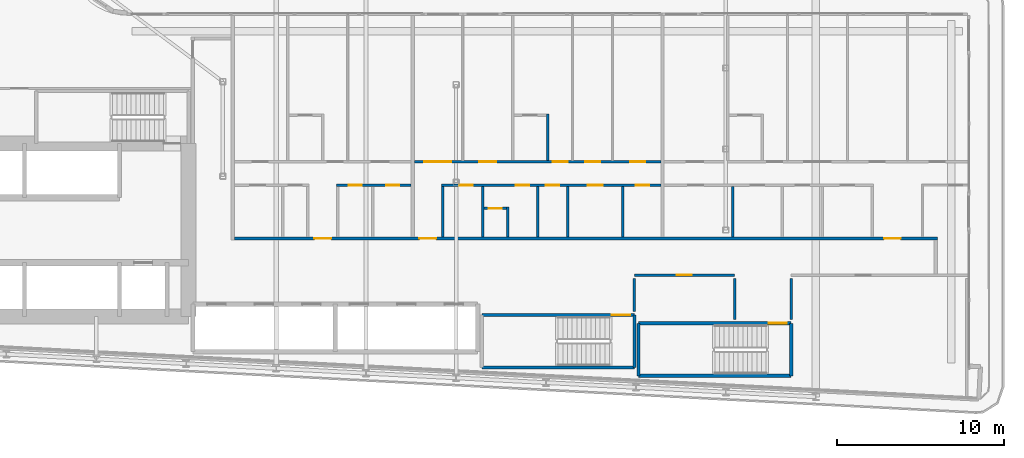
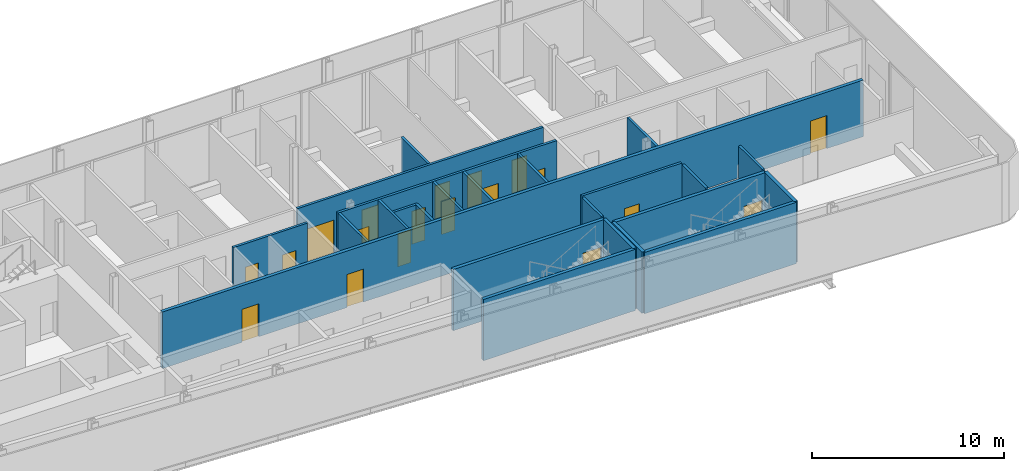
# One storey, part 16 of 29: 24 walls, 19 doors, 19 openings.
"""IFC4 building model written with IfcOpenShell, lengths in metres."""

from ifc_helpers import new_model, si_unit, direction, frame, frame_2d, origin, place, context, subcontext, project, spatial, rectangle, extrude, source, transform, mapped, material, layer, layer_set, type_object, element, fill, save


model = new_model("IFC4")

# Units and contexts
model_context = context("Model", 3, precision=1e-05, world=origin(), true_north=direction((0.0, 1.0)))
body_context = subcontext(model_context, "Body", "Model", "MODEL_VIEW")
ifc_project = project(units=[si_unit("LENGTHUNIT", "METRE"), si_unit("AREAUNIT", "SQUARE_METRE"), si_unit("VOLUMEUNIT", "CUBIC_METRE"), si_unit("PLANEANGLEUNIT", "RADIAN"), si_unit("MASSUNIT", "GRAM", prefix="KILO")], contexts=[model_context])

# Site, building, storey
site_placement = place(None, origin())
site = spatial("IfcSite", under=ifc_project, at=site_placement, CompositionType="ELEMENT")
building_placement = place(site_placement, origin())
building = spatial("IfcBuilding", under=site, at=building_placement, Name="Kheshtan School and Residences Tower", CompositionType="ELEMENT")
storey_placement = place(building_placement, frame((0.0, 0.0, 117.5)))
storey = spatial("IfcBuildingStorey", under=building, at=storey_placement, Name="L27", CompositionType="ELEMENT", Elevation=117.5)

# Wall, openings, doors
ifc_material_1 = material(Name="Gypsum board on steel studs with fire boards", Category="steel")
ifc_layer_1 = layer(ifc_material_1, 0.199951171875)
ifc_layer_set_1 = layer_set([ifc_layer_1], Name="Corridor wall 200")
wall_type_1 = type_object("IfcWallType", Name="Corridor wall 200", PredefinedType="PARTITIONING", material=ifc_layer_set_1)
wall_1_placement = place(storey_placement, frame((55.89990234375, 30.5, 0.0), z_axis=(0.0, 0.0, 1.0), x_axis=(1.0, 0.0, 0.0)))
wall_1 = element("IfcWall", 1, at=wall_1_placement, inside=storey, type_object=wall_type_1, Name="Partition L27-051", PredefinedType="PARTITIONING", context=body_context, shape_type="SweptSolid", body=[
    extrude(rectangle(XDim=42.2001953125, YDim=0.199951171875, at=frame_2d((21.10009765625, 0.0))), origin(), (0.0, 0.0, 1.0), 3.60009765625),
])
opening_1_placement = place(wall_1_placement, frame((4.800048828125, 0.0, 0.0)))
opening_1 = element("IfcOpeningElement", 2, at=opening_1_placement, cuts=wall_1, Name="Opening D27-005", PredefinedType="OPENING", context=body_context, shape_type="SweptSolid", body=[
    extrude(rectangle(XDim=1.0, YDim=2.10009765625, at=frame_2d((0.5, 1.050048828125))), frame((0.0, 0.10986328125, 0.0), z_axis=(0.0, -1.0, 0.0), x_axis=(1.0, 0.0, 0.0)), (0.0, 0.0, 1.0), 0.219970703125),
])
opening_2_placement = place(wall_1_placement, frame((11.10009765625, 0.0, 0.0)))
opening_2 = element("IfcOpeningElement", 3, at=opening_2_placement, cuts=wall_1, Name="Opening D27-015", PredefinedType="OPENING", context=body_context, shape_type="SweptSolid", body=[
    extrude(rectangle(XDim=1.0, YDim=2.10009765625, at=frame_2d((0.5, 1.050048828125))), frame((0.0, 0.10986328125, 0.0), z_axis=(0.0, -1.0, 0.0), x_axis=(1.0, 0.0, 0.0)), (0.0, 0.0, 1.0), 0.219970703125),
])
opening_3_placement = place(wall_1_placement, frame((39.0, 0.0, 0.0)))
opening_3 = element("IfcOpeningElement", 4, at=opening_3_placement, cuts=wall_1, Name="Opening D27-029", PredefinedType="OPENING", context=body_context, shape_type="SweptSolid", body=[
    extrude(rectangle(XDim=1.0, YDim=2.10009765625, at=frame_2d((0.5, 1.050048828125))), frame((0.0, 0.10986328125, 0.0), z_axis=(0.0, -1.0, 0.0), x_axis=(1.0, 0.0, 0.0)), (0.0, 0.0, 1.0), 0.219970703125),
])
ifc_material_2 = material(Name="Steel-framed fire-resisting door leaf", Category="steel")
door_type_1 = type_object("IfcDoorType", Name="Fire door FD30S 1000 x 2100", OperationType="SINGLE_SWING_LEFT", PredefinedType="DOOR", material=ifc_material_2)
shared_shape_1 = source(origin(), body_context, "Body", "SweptSolid", [
    extrude(rectangle(XDim=1.0, YDim=2.10009765625, at=frame_2d((0.5, 1.050048828125))), frame((0.0, 0.02490234375, 0.0), z_axis=(0.0, -1.0, 0.0), x_axis=(1.0, 0.0, 0.0)), (0.0, 0.0, 1.0), 0.050048828125),
])
door_1_placement = place(opening_1_placement, origin())
door_1 = element("IfcDoor", 5, at=door_1_placement, inside=storey, type_object=door_type_1, Name="Door D27-005", OperationType="SINGLE_SWING_RIGHT", OverallHeight=2.10009765625, OverallWidth=1.0, PredefinedType="DOOR", context=body_context, shape_type="MappedRepresentation", body=[
    mapped(shared_shape_1, transform((0.0, 0.0, 0.0), x_axis=(1.0, 0.0, 0.0), y_axis=(0.0, 1.0, 0.0), z_axis=(0.0, 0.0, 1.0), scale=1.0)),
])
fill(opening_1, door_1)
door_2_placement = place(opening_2_placement, origin())
door_2 = element("IfcDoor", 6, at=door_2_placement, inside=storey, type_object=door_type_1, Name="Door D27-015", OperationType="SINGLE_SWING_LEFT", OverallHeight=2.10009765625, OverallWidth=1.0, PredefinedType="DOOR", context=body_context, shape_type="MappedRepresentation", body=[
    mapped(shared_shape_1, transform((0.0, 0.0, 0.0), x_axis=(1.0, 0.0, 0.0), y_axis=(0.0, 1.0, 0.0), z_axis=(0.0, 0.0, 1.0), scale=1.0)),
])
fill(opening_2, door_2)
door_3_placement = place(opening_3_placement, origin())
door_3 = element("IfcDoor", 7, at=door_3_placement, inside=storey, type_object=door_type_1, Name="Door D27-029", OperationType="SINGLE_SWING_LEFT", OverallHeight=2.10009765625, OverallWidth=1.0, PredefinedType="DOOR", context=body_context, shape_type="MappedRepresentation", body=[
    mapped(shared_shape_1, transform((0.0, 0.0, 0.0), x_axis=(1.0, 0.0, 0.0), y_axis=(0.0, 1.0, 0.0), z_axis=(0.0, 0.0, 1.0), scale=1.0)),
])
fill(opening_3, door_3)

# Wall, opening, door
ifc_material_3 = material(Name="Fire-board shaft wall system")
ifc_layer_2 = layer(ifc_material_3, 0.14990234375)
ifc_layer_set_2 = layer_set([ifc_layer_2], Name="Service room wall 150")
wall_type_2 = type_object("IfcWallType", Name="Service room wall 150", PredefinedType="PARTITIONING", material=ifc_layer_set_2)
wall_2_placement = place(storey_placement, frame((79.909912109375, 28.300048828125, 0.0), z_axis=(0.0, 0.0, 1.0), x_axis=(1.0, 0.0, 0.0)))
wall_2 = element("IfcWall", 8, at=wall_2_placement, inside=storey, type_object=wall_type_2, Name="Service room wall", PredefinedType="PARTITIONING", context=body_context, shape_type="SweptSolid", body=[
    extrude(rectangle(XDim=6.010009765625, YDim=0.14990234375, at=frame_2d((3.0048828125, 0.0))), origin(), (0.0, 0.0, 1.0), 3.89990234375),
])
opening_4_placement = place(wall_2_placement, frame((2.554931640625, 0.0, 0.0)))
opening_4 = element("IfcOpeningElement", 9, at=opening_4_placement, cuts=wall_2, Name="Opening SR90", PredefinedType="OPENING", context=body_context, shape_type="SweptSolid", body=[
    extrude(rectangle(XDim=0.89990234375, YDim=2.199951171875, at=frame_2d((0.449951171875, 1.10009765625))), frame((0.0, 0.0849609375, 0.0), z_axis=(0.0, -1.0, 0.0), x_axis=(1.0, 0.0, 0.0)), (0.0, 0.0, 1.0), 0.169921875),
])
ifc_material_4 = material(Name="Steel door leaf, galvanised", Category="steel")
door_type_2 = type_object("IfcDoorType", Name="Service room door 900 steel 90 min", OperationType="SINGLE_SWING_LEFT", PredefinedType="DOOR", material=ifc_material_4)
shared_shape_2 = source(origin(), body_context, "Body", "SweptSolid", [
    extrude(rectangle(XDim=0.89990234375, YDim=2.199951171875, at=frame_2d((0.449951171875, 1.10009765625))), frame((0.0, 0.02490234375, 0.0), z_axis=(0.0, -1.0, 0.0), x_axis=(1.0, 0.0, 0.0)), (0.0, 0.0, 1.0), 0.050048828125),
])
door_4_placement = place(opening_4_placement, origin())
door_4 = element("IfcDoor", 10, at=door_4_placement, inside=storey, type_object=door_type_2, Name="Service room door", OperationType="SINGLE_SWING_LEFT", OverallHeight=2.199951171875, OverallWidth=0.89990234375, PredefinedType="DOOR", context=body_context, shape_type="MappedRepresentation", body=[
    mapped(shared_shape_2, transform((0.0, 0.0, 0.0), x_axis=(1.0, 0.0, 0.0), y_axis=(0.0, 1.0, 0.0), z_axis=(0.0, 0.0, 1.0), scale=1.0)),
])
fill(opening_4, door_4)

# Walls
wall_3_placement = place(storey_placement, frame((79.909912109375, 26.1201171875, 0.0), z_axis=(0.0, 0.0, 1.0), x_axis=(0.0, 1.0, 0.0)))
element("IfcWall", 11, at=wall_3_placement, inside=storey, type_object=wall_type_2, Name="Service room wall", PredefinedType="PARTITIONING", context=body_context, shape_type="SweptSolid", body=[
    extrude(rectangle(XDim=1.98486328125, YDim=0.14990234375, at=frame_2d((0.992431640625, 0.0))), origin(), (0.0, 0.0, 1.0), 3.89990234375),
])
for number, where, z_axis, x_axis, name in (
    (12, (85.919921875, 25.6201171875, 0.0), (0.0, 0.0, 1.0), (0.0, 1.0, 0.0), "Service room wall"),
    (13, (89.320068359375, 25.6201171875, 0.0), (0.0, 0.0, 1.0), (0.0, 1.0, 0.0), "Service room wall"),
):
    element("IfcWall", number, at=place(storey_placement, frame(where, z_axis=z_axis, x_axis=x_axis)), inside=storey, type_object=wall_type_2, Name=name, PredefinedType="PARTITIONING", context=body_context, shape_type="SweptSolid", body=[
        extrude(rectangle(XDim=2.48486328125, YDim=0.14990234375, at=frame_2d((1.242431640625, 0.0))), origin(), (0.0, 0.0, 1.0), 3.89990234375),
    ])
ifc_material_5 = material(Name="Concrete C40/50", Category="concrete")
ifc_layer_3 = layer(ifc_material_5, 0.199951171875)
ifc_layer_set_3 = layer_set([ifc_layer_3], Name="Stair enclosure wall 200 Concrete C40/50")
wall_type_3 = type_object("IfcWallType", Name="Stair enclosure wall 200 Concrete C40/50", PredefinedType="SHEAR", material=ifc_layer_set_3)
wall_4_placement = place(storey_placement, frame((80.159912109375, 22.25, 0.0), z_axis=(0.0, 0.0, 1.0), x_axis=(1.0, 0.0, 0.0)))
element("IfcWall", 14, at=wall_4_placement, inside=storey, type_object=wall_type_3, Name="Stair enclosure wall ST4", PredefinedType="SHEAR", context=body_context, shape_type="SweptSolid", body=[
    extrude(rectangle(XDim=9.16015625, YDim=0.199951171875, at=frame_2d((4.580078125, 0.0))), origin(), (0.0, 0.0, 1.0), 3.89990234375),
])

# Wall, opening, door
wall_5_placement = place(storey_placement, frame((80.159912109375, 25.39990234375, 0.0), z_axis=(0.0, 0.0, 1.0), x_axis=(1.0, 0.0, 0.0)))
wall_5 = element("IfcWall", 15, at=wall_5_placement, inside=storey, type_object=wall_type_3, Name="Stair enclosure wall ST4", PredefinedType="SHEAR", context=body_context, shape_type="SweptSolid", body=[
    extrude(rectangle(XDim=9.16015625, YDim=0.199951171875, at=frame_2d((4.580078125, 0.0))), origin(), (0.0, 0.0, 1.0), 3.89990234375),
])
opening_5_placement = place(wall_5_placement, frame((7.81005859375, 0.0, 0.0)))
opening_5 = element("IfcOpeningElement", 16, at=opening_5_placement, cuts=wall_5, Name="Opening ST4D", PredefinedType="OPENING", context=body_context, shape_type="SweptSolid", body=[
    extrude(rectangle(XDim=1.10009765625, YDim=2.199951171875, at=frame_2d((0.550048828125, 1.10009765625))), frame((0.0, 0.10986328125, 0.0), z_axis=(0.0, -1.0, 0.0), x_axis=(1.0, 0.0, 0.0)), (0.0, 0.0, 1.0), 0.219970703125),
])
door_type_3 = type_object("IfcDoorType", Name="Stair door 1100 steel 90 min", OperationType="SINGLE_SWING_LEFT", PredefinedType="DOOR", material=ifc_material_4)
shared_shape_3 = source(origin(), body_context, "Body", "SweptSolid", [
    extrude(rectangle(XDim=1.10009765625, YDim=2.199951171875, at=frame_2d((0.550048828125, 1.10009765625))), frame((0.0, 0.02490234375, 0.0), z_axis=(0.0, -1.0, 0.0), x_axis=(1.0, 0.0, 0.0)), (0.0, 0.0, 1.0), 0.050048828125),
])
door_5_placement = place(opening_5_placement, origin())
door_5 = element("IfcDoor", 17, at=door_5_placement, inside=storey, type_object=door_type_3, Name="Stair ST4 door", OperationType="SINGLE_SWING_LEFT", OverallHeight=2.199951171875, OverallWidth=1.10009765625, PredefinedType="DOOR", context=body_context, shape_type="MappedRepresentation", body=[
    mapped(shared_shape_3, transform((0.0, 0.0, 0.0), x_axis=(1.0, 0.0, 0.0), y_axis=(0.0, 1.0, 0.0), z_axis=(0.0, 0.0, 1.0), scale=1.0)),
])
fill(opening_5, door_5)

# Walls
for number, where, z_axis, x_axis, name in (
    (18, (80.159912109375, 22.25, 0.0), (0.0, 0.0, 1.0), (0.0, 1.0, 0.0), "Stair enclosure wall ST4"),
    (19, (89.320068359375, 22.25, 0.0), (0.0, 0.0, 1.0), (0.0, 1.0, 0.0), "Stair enclosure wall ST4"),
):
    element("IfcWall", number, at=place(storey_placement, frame(where, z_axis=z_axis, x_axis=x_axis)), inside=storey, type_object=wall_type_3, Name=name, PredefinedType="SHEAR", context=body_context, shape_type="SweptSolid", body=[
        extrude(rectangle(XDim=3.14990234375, YDim=0.199951171875, at=frame_2d((1.574951171875, 0.0))), origin(), (0.0, 0.0, 1.0), 3.89990234375),
    ])
wall_6_placement = place(storey_placement, frame((70.75, 22.75, 0.0), z_axis=(0.0, 0.0, 1.0), x_axis=(1.0, 0.0, 0.0)))
element("IfcWall", 20, at=wall_6_placement, inside=storey, type_object=wall_type_3, Name="Stair enclosure wall ST5", PredefinedType="SHEAR", context=body_context, shape_type="SweptSolid", body=[
    extrude(rectangle(XDim=9.159912109375, YDim=0.199951171875, at=frame_2d((4.580078125, 0.0))), origin(), (0.0, 0.0, 1.0), 3.89990234375),
])

# Wall, opening, door
wall_7_placement = place(storey_placement, frame((70.75, 25.89990234375, 0.0), z_axis=(0.0, 0.0, 1.0), x_axis=(1.0, 0.0, 0.0)))
wall_7 = element("IfcWall", 21, at=wall_7_placement, inside=storey, type_object=wall_type_3, Name="Stair enclosure wall ST5", PredefinedType="SHEAR", context=body_context, shape_type="SweptSolid", body=[
    extrude(rectangle(XDim=9.159912109375, YDim=0.199951171875, at=frame_2d((4.580078125, 0.0))), origin(), (0.0, 0.0, 1.0), 3.89990234375),
])
opening_6_placement = place(wall_7_placement, frame((7.81005859375, 0.0, 0.0)))
opening_6 = element("IfcOpeningElement", 22, at=opening_6_placement, cuts=wall_7, Name="Opening ST5D", PredefinedType="OPENING", context=body_context, shape_type="SweptSolid", body=[
    extrude(rectangle(XDim=1.10009765625, YDim=2.199951171875, at=frame_2d((0.550048828125, 1.10009765625))), frame((0.0, 0.10986328125, 0.0), z_axis=(0.0, -1.0, 0.0), x_axis=(1.0, 0.0, 0.0)), (0.0, 0.0, 1.0), 0.219970703125),
])
door_6_placement = place(opening_6_placement, origin())
door_6 = element("IfcDoor", 23, at=door_6_placement, inside=storey, type_object=door_type_3, Name="Stair ST5 door", OperationType="SINGLE_SWING_LEFT", OverallHeight=2.199951171875, OverallWidth=1.10009765625, PredefinedType="DOOR", context=body_context, shape_type="MappedRepresentation", body=[
    mapped(shared_shape_3, transform((0.0, 0.0, 0.0), x_axis=(1.0, 0.0, 0.0), y_axis=(0.0, 1.0, 0.0), z_axis=(0.0, 0.0, 1.0), scale=1.0)),
])
fill(opening_6, door_6)

# Wall
wall_8_placement = place(storey_placement, frame((79.909912109375, 22.75, 0.0), z_axis=(0.0, 0.0, 1.0), x_axis=(0.0, 1.0, 0.0)))
element("IfcWall", 24, at=wall_8_placement, inside=storey, type_object=wall_type_3, Name="Stair enclosure wall ST5", PredefinedType="SHEAR", context=body_context, shape_type="SweptSolid", body=[
    extrude(rectangle(XDim=3.14990234375, YDim=0.199951171875, at=frame_2d((1.574951171875, 0.0))), origin(), (0.0, 0.0, 1.0), 3.89990234375),
])

# Wall, openings, doors
ifc_material_6 = material(Name="Moisture-resistant gypsum board on steel studs", Category="steel")
ifc_layer_4 = layer(ifc_material_6, 0.14990234375)
ifc_layer_set_4 = layer_set([ifc_layer_4], Name="Wet-room partition 150")
wall_type_4 = type_object("IfcWallType", Name="Wet-room partition 150", PredefinedType="PARTITIONING", material=ifc_layer_set_4)
wall_9_placement = place(storey_placement, frame((62.02490234375, 33.699951171875, 0.0), z_axis=(0.0, 0.0, 1.0), x_axis=(1.0, 0.0, 0.0)))
wall_9 = element("IfcWall", 25, at=wall_9_placement, inside=storey, type_object=wall_type_4, Name="Partition L27-059", PredefinedType="PARTITIONING", context=body_context, shape_type="SweptSolid", body=[
    extrude(rectangle(XDim=4.47509765625, YDim=0.14990234375, at=frame_2d((2.237548828125, 0.0))), origin(), (0.0, 0.0, 1.0), 3.60009765625),
])
opening_7_placement = place(wall_9_placement, frame((0.72509765625, 0.0, 0.0)))
opening_7 = element("IfcOpeningElement", 26, at=opening_7_placement, cuts=wall_9, Name="Opening D27-001", PredefinedType="OPENING", context=body_context, shape_type="SweptSolid", body=[
    extrude(rectangle(XDim=0.800048828125, YDim=2.10009765625, at=frame_2d((0.39990234375, 1.050048828125))), frame((0.0, 0.0849609375, 0.0), z_axis=(0.0, -1.0, 0.0), x_axis=(1.0, 0.0, 0.0)), (0.0, 0.0, 1.0), 0.169921875),
])
opening_8_placement = place(wall_9_placement, frame((2.97509765625, 0.0, 0.0)))
opening_8 = element("IfcOpeningElement", 27, at=opening_8_placement, cuts=wall_9, Name="Opening D27-003", PredefinedType="OPENING", context=body_context, shape_type="SweptSolid", body=[
    extrude(rectangle(XDim=0.800048828125, YDim=2.10009765625, at=frame_2d((0.39990234375, 1.050048828125))), frame((0.0, 0.0849609375, 0.0), z_axis=(0.0, -1.0, 0.0), x_axis=(1.0, 0.0, 0.0)), (0.0, 0.0, 1.0), 0.169921875),
])
ifc_material_7 = material(Name="Veneered timber door leaf", Category="wood")
door_type_4 = type_object("IfcDoorType", Name="Door 800 x 2100", OperationType="SINGLE_SWING_LEFT", PredefinedType="DOOR", material=ifc_material_7)
shared_shape_4 = source(origin(), body_context, "Body", "SweptSolid", [
    extrude(rectangle(XDim=0.800048828125, YDim=2.10009765625, at=frame_2d((0.39990234375, 1.050048828125))), frame((0.0, 0.02490234375, 0.0), z_axis=(0.0, -1.0, 0.0), x_axis=(1.0, 0.0, 0.0)), (0.0, 0.0, 1.0), 0.050048828125),
])
door_7_placement = place(opening_7_placement, origin())
door_7 = element("IfcDoor", 28, at=door_7_placement, inside=storey, type_object=door_type_4, Name="Door D27-001", OperationType="SINGLE_SWING_RIGHT", OverallHeight=2.10009765625, OverallWidth=0.800048828125, PredefinedType="DOOR", context=body_context, shape_type="MappedRepresentation", body=[
    mapped(shared_shape_4, transform((0.0, 0.0, 0.0), x_axis=(1.0, 0.0, 0.0), y_axis=(0.0, 1.0, 0.0), z_axis=(0.0, 0.0, 1.0), scale=1.0)),
])
fill(opening_7, door_7)
door_8_placement = place(opening_8_placement, origin())
door_8 = element("IfcDoor", 29, at=door_8_placement, inside=storey, type_object=door_type_4, Name="Door D27-003", OperationType="SINGLE_SWING_LEFT", OverallHeight=2.10009765625, OverallWidth=0.800048828125, PredefinedType="DOOR", context=body_context, shape_type="MappedRepresentation", body=[
    mapped(shared_shape_4, transform((0.0, 0.0, 0.0), x_axis=(1.0, 0.0, 0.0), y_axis=(0.0, 1.0, 0.0), z_axis=(0.0, 0.0, 1.0), scale=1.0)),
])
fill(opening_8, door_8)

wall_10_placement = place(storey_placement, frame((66.699951171875, 35.10009765625, 0.0), z_axis=(0.0, 0.0, 1.0), x_axis=(1.0, 0.0, 0.0)))
wall_10 = element("IfcWall", 30, at=wall_10_placement, inside=storey, type_object=wall_type_4, Name="Partition L27-064", PredefinedType="PARTITIONING", context=body_context, shape_type="SweptSolid", body=[
    extrude(rectangle(XDim=14.800048828125, YDim=0.14990234375, at=frame_2d((7.39990234375, 0.0))), origin(), (0.0, 0.0, 1.0), 3.60009765625),
])
opening_9_placement = place(wall_10_placement, frame((10.25, 0.0, 0.0)))
opening_9 = element("IfcOpeningElement", 31, at=opening_9_placement, cuts=wall_10, Name="Opening D27-012", PredefinedType="OPENING", context=body_context, shape_type="SweptSolid", body=[
    extrude(rectangle(XDim=0.89990234375, YDim=2.10009765625, at=frame_2d((0.449951171875, 1.050048828125))), frame((0.0, 0.0849609375, 0.0), z_axis=(0.0, -1.0, 0.0), x_axis=(1.0, 0.0, 0.0)), (0.0, 0.0, 1.0), 0.169921875),
])
opening_10_placement = place(wall_10_placement, frame((12.949951171875, 0.0, 0.0)))
opening_10 = element("IfcOpeningElement", 32, at=opening_10_placement, cuts=wall_10, Name="Opening D27-013", PredefinedType="OPENING", context=body_context, shape_type="SweptSolid", body=[
    extrude(rectangle(XDim=0.89990234375, YDim=2.10009765625, at=frame_2d((0.449951171875, 1.050048828125))), frame((0.0, 0.0849609375, 0.0), z_axis=(0.0, -1.0, 0.0), x_axis=(1.0, 0.0, 0.0)), (0.0, 0.0, 1.0), 0.169921875),
])
opening_11_placement = place(wall_10_placement, frame((3.89990234375, 0.0, 0.0)))
opening_11 = element("IfcOpeningElement", 33, at=opening_11_placement, cuts=wall_10, Name="Opening D27-017", PredefinedType="OPENING", context=body_context, shape_type="SweptSolid", body=[
    extrude(rectangle(XDim=1.0, YDim=2.10009765625, at=frame_2d((0.5, 1.050048828125))), frame((0.0, 0.0849609375, 0.0), z_axis=(0.0, -1.0, 0.0), x_axis=(1.0, 0.0, 0.0)), (0.0, 0.0, 1.0), 0.169921875),
])
opening_12_placement = place(wall_10_placement, frame((0.60009765625, 0.0, 0.0)))
opening_12 = element("IfcOpeningElement", 34, at=opening_12_placement, cuts=wall_10, Name="Opening D27-020", PredefinedType="OPENING", context=body_context, shape_type="SweptSolid", body=[
    extrude(rectangle(XDim=1.60009765625, YDim=2.10009765625, at=frame_2d((0.800048828125, 1.050048828125))), frame((0.0, 0.0849609375, 0.0), z_axis=(0.0, -1.0, 0.0), x_axis=(1.0, 0.0, 0.0)), (0.0, 0.0, 1.0), 0.169921875),
])
opening_13_placement = place(wall_10_placement, frame((8.300048828125, 0.0, 0.0)))
opening_13 = element("IfcOpeningElement", 35, at=opening_13_placement, cuts=wall_10, Name="Opening D27-021", PredefinedType="OPENING", context=body_context, shape_type="SweptSolid", body=[
    extrude(rectangle(XDim=0.89990234375, YDim=2.10009765625, at=frame_2d((0.449951171875, 1.050048828125))), frame((0.0, 0.0849609375, 0.0), z_axis=(0.0, -1.0, 0.0), x_axis=(1.0, 0.0, 0.0)), (0.0, 0.0, 1.0), 0.169921875),
])
door_type_5 = type_object("IfcDoorType", Name="Door 1000 x 2100", OperationType="SINGLE_SWING_LEFT", PredefinedType="DOOR", material=ifc_material_7)
shared_shape_5 = source(origin(), body_context, "Body", "SweptSolid", [
    extrude(rectangle(XDim=1.0, YDim=2.10009765625, at=frame_2d((0.5, 1.050048828125))), frame((0.0, 0.02490234375, 0.0), z_axis=(0.0, -1.0, 0.0), x_axis=(1.0, 0.0, 0.0)), (0.0, 0.0, 1.0), 0.050048828125),
])
door_9_placement = place(opening_11_placement, origin())
door_9 = element("IfcDoor", 36, at=door_9_placement, inside=storey, type_object=door_type_5, Name="Door D27-017", OperationType="SINGLE_SWING_LEFT", OverallHeight=2.10009765625, OverallWidth=1.0, PredefinedType="DOOR", context=body_context, shape_type="MappedRepresentation", body=[
    mapped(shared_shape_5, transform((0.0, 0.0, 0.0), x_axis=(1.0, 0.0, 0.0), y_axis=(0.0, 1.0, 0.0), z_axis=(0.0, 0.0, 1.0), scale=1.0)),
])
fill(opening_11, door_9)
door_type_6 = type_object("IfcDoorType", Name="Door 900 x 2100", OperationType="SINGLE_SWING_LEFT", PredefinedType="DOOR", material=ifc_material_7)
shared_shape_6 = source(origin(), body_context, "Body", "SweptSolid", [
    extrude(rectangle(XDim=0.89990234375, YDim=2.10009765625, at=frame_2d((0.449951171875, 1.050048828125))), frame((0.0, 0.02490234375, 0.0), z_axis=(0.0, -1.0, 0.0), x_axis=(1.0, 0.0, 0.0)), (0.0, 0.0, 1.0), 0.050048828125),
])
door_10_placement = place(opening_9_placement, origin())
door_10 = element("IfcDoor", 37, at=door_10_placement, inside=storey, type_object=door_type_6, Name="Door D27-012", OperationType="SINGLE_SWING_RIGHT", OverallHeight=2.10009765625, OverallWidth=0.89990234375, PredefinedType="DOOR", context=body_context, shape_type="MappedRepresentation", body=[
    mapped(shared_shape_6, transform((0.0, 0.0, 0.0), x_axis=(1.0, 0.0, 0.0), y_axis=(0.0, 1.0, 0.0), z_axis=(0.0, 0.0, 1.0), scale=1.0)),
])
fill(opening_9, door_10)
door_11_placement = place(opening_10_placement, origin())
door_11 = element("IfcDoor", 38, at=door_11_placement, inside=storey, type_object=door_type_6, Name="Door D27-013", OperationType="SINGLE_SWING_RIGHT", OverallHeight=2.10009765625, OverallWidth=0.89990234375, PredefinedType="DOOR", context=body_context, shape_type="MappedRepresentation", body=[
    mapped(shared_shape_6, transform((0.0, 0.0, 0.0), x_axis=(1.0, 0.0, 0.0), y_axis=(0.0, 1.0, 0.0), z_axis=(0.0, 0.0, 1.0), scale=1.0)),
])
fill(opening_10, door_11)
door_12_placement = place(opening_13_placement, origin())
door_12 = element("IfcDoor", 39, at=door_12_placement, inside=storey, type_object=door_type_6, Name="Door D27-021", OperationType="SINGLE_SWING_LEFT", OverallHeight=2.10009765625, OverallWidth=0.89990234375, PredefinedType="DOOR", context=body_context, shape_type="MappedRepresentation", body=[
    mapped(shared_shape_6, transform((0.0, 0.0, 0.0), x_axis=(1.0, 0.0, 0.0), y_axis=(0.0, 1.0, 0.0), z_axis=(0.0, 0.0, 1.0), scale=1.0)),
])
fill(opening_13, door_12)
door_type_7 = type_object("IfcDoorType", Name="Double door 1600 x 2100", OperationType="DOUBLE_DOOR_SINGLE_SWING", PredefinedType="DOOR", material=ifc_material_7)
shared_shape_7 = source(origin(), body_context, "Body", "SweptSolid", [
    extrude(rectangle(XDim=1.60009765625, YDim=2.10009765625, at=frame_2d((0.800048828125, 1.050048828125))), frame((0.0, 0.02490234375, 0.0), z_axis=(0.0, -1.0, 0.0), x_axis=(1.0, 0.0, 0.0)), (0.0, 0.0, 1.0), 0.050048828125),
])
door_13_placement = place(opening_12_placement, origin())
door_13 = element("IfcDoor", 40, at=door_13_placement, inside=storey, type_object=door_type_7, Name="Door D27-020", OperationType="DOUBLE_DOOR_SINGLE_SWING", OverallHeight=2.10009765625, OverallWidth=1.60009765625, PredefinedType="DOOR", context=body_context, shape_type="MappedRepresentation", body=[
    mapped(shared_shape_7, transform((0.0, 0.0, 0.0), x_axis=(1.0, 0.0, 0.0), y_axis=(0.0, 1.0, 0.0), z_axis=(0.0, 0.0, 1.0), scale=1.0)),
])
fill(opening_12, door_13)

wall_11_placement = place(storey_placement, frame((68.324951171875, 33.699951171875, 0.0), z_axis=(0.0, 0.0, 1.0), x_axis=(1.0, 0.0, 0.0)))
wall_11 = element("IfcWall", 41, at=wall_11_placement, inside=storey, type_object=wall_type_4, Name="Partition L27-065", PredefinedType="PARTITIONING", context=body_context, shape_type="SweptSolid", body=[
    extrude(rectangle(XDim=13.175048828125, YDim=0.14990234375, at=frame_2d((6.58740234375, 0.0))), origin(), (0.0, 0.0, 1.0), 3.60009765625),
])
opening_14_placement = place(wall_11_placement, frame((1.074951171875, 0.0, 0.0)))
opening_14 = element("IfcOpeningElement", 42, at=opening_14_placement, cuts=wall_11, Name="Opening D27-010", PredefinedType="OPENING", context=body_context, shape_type="SweptSolid", body=[
    extrude(rectangle(XDim=0.800048828125, YDim=2.10009765625, at=frame_2d((0.39990234375, 1.050048828125))), frame((0.0, 0.0849609375, 0.0), z_axis=(0.0, -1.0, 0.0), x_axis=(1.0, 0.0, 0.0)), (0.0, 0.0, 1.0), 0.169921875),
])
opening_15_placement = place(wall_11_placement, frame((11.675048828125, 0.0, 0.0)))
opening_15 = element("IfcOpeningElement", 43, at=opening_15_placement, cuts=wall_11, Name="Opening D27-011", PredefinedType="OPENING", context=body_context, shape_type="SweptSolid", body=[
    extrude(rectangle(XDim=0.800048828125, YDim=2.10009765625, at=frame_2d((0.39990234375, 1.050048828125))), frame((0.0, 0.0849609375, 0.0), z_axis=(0.0, -1.0, 0.0), x_axis=(1.0, 0.0, 0.0)), (0.0, 0.0, 1.0), 0.169921875),
])
opening_16_placement = place(wall_11_placement, frame((8.77490234375, 0.0, 0.0)))
opening_16 = element("IfcOpeningElement", 44, at=opening_16_placement, cuts=wall_11, Name="Opening D27-016", PredefinedType="OPENING", context=body_context, shape_type="SweptSolid", body=[
    extrude(rectangle(XDim=0.89990234375, YDim=2.10009765625, at=frame_2d((0.449951171875, 1.050048828125))), frame((0.0, 0.0849609375, 0.0), z_axis=(0.0, -1.0, 0.0), x_axis=(1.0, 0.0, 0.0)), (0.0, 0.0, 1.0), 0.169921875),
])
opening_17_placement = place(wall_11_placement, frame((4.47509765625, 0.0, 0.0)))
opening_17 = element("IfcOpeningElement", 45, at=opening_17_placement, cuts=wall_11, Name="Opening D27-018", PredefinedType="OPENING", context=body_context, shape_type="SweptSolid", body=[
    extrude(rectangle(XDim=0.800048828125, YDim=2.10009765625, at=frame_2d((0.39990234375, 1.050048828125))), frame((0.0, 0.0849609375, 0.0), z_axis=(0.0, -1.0, 0.0), x_axis=(1.0, 0.0, 0.0)), (0.0, 0.0, 1.0), 0.169921875),
])
opening_18_placement = place(wall_11_placement, frame((6.27490234375, 0.0, 0.0)))
opening_18 = element("IfcOpeningElement", 46, at=opening_18_placement, cuts=wall_11, Name="Opening D27-022", PredefinedType="OPENING", context=body_context, shape_type="SweptSolid", body=[
    extrude(rectangle(XDim=0.800048828125, YDim=2.10009765625, at=frame_2d((0.39990234375, 1.050048828125))), frame((0.0, 0.0849609375, 0.0), z_axis=(0.0, -1.0, 0.0), x_axis=(1.0, 0.0, 0.0)), (0.0, 0.0, 1.0), 0.169921875),
])
door_14_placement = place(opening_14_placement, origin())
door_14 = element("IfcDoor", 47, at=door_14_placement, inside=storey, type_object=door_type_4, Name="Door D27-010", OperationType="SINGLE_SWING_LEFT", OverallHeight=2.10009765625, OverallWidth=0.800048828125, PredefinedType="DOOR", context=body_context, shape_type="MappedRepresentation", body=[
    mapped(shared_shape_4, transform((0.0, 0.0, 0.0), x_axis=(1.0, 0.0, 0.0), y_axis=(0.0, 1.0, 0.0), z_axis=(0.0, 0.0, 1.0), scale=1.0)),
])
fill(opening_14, door_14)
door_15_placement = place(opening_15_placement, origin())
door_15 = element("IfcDoor", 48, at=door_15_placement, inside=storey, type_object=door_type_4, Name="Door D27-011", OperationType="SINGLE_SWING_RIGHT", OverallHeight=2.10009765625, OverallWidth=0.800048828125, PredefinedType="DOOR", context=body_context, shape_type="MappedRepresentation", body=[
    mapped(shared_shape_4, transform((0.0, 0.0, 0.0), x_axis=(1.0, 0.0, 0.0), y_axis=(0.0, 1.0, 0.0), z_axis=(0.0, 0.0, 1.0), scale=1.0)),
])
fill(opening_15, door_15)
door_16_placement = place(opening_17_placement, origin())
door_16 = element("IfcDoor", 49, at=door_16_placement, inside=storey, type_object=door_type_4, Name="Door D27-018", OperationType="SINGLE_SWING_LEFT", OverallHeight=2.10009765625, OverallWidth=0.800048828125, PredefinedType="DOOR", context=body_context, shape_type="MappedRepresentation", body=[
    mapped(shared_shape_4, transform((0.0, 0.0, 0.0), x_axis=(1.0, 0.0, 0.0), y_axis=(0.0, 1.0, 0.0), z_axis=(0.0, 0.0, 1.0), scale=1.0)),
])
fill(opening_17, door_16)
door_17_placement = place(opening_18_placement, origin())
door_17 = element("IfcDoor", 50, at=door_17_placement, inside=storey, type_object=door_type_4, Name="Door D27-022", OperationType="SINGLE_SWING_RIGHT", OverallHeight=2.10009765625, OverallWidth=0.800048828125, PredefinedType="DOOR", context=body_context, shape_type="MappedRepresentation", body=[
    mapped(shared_shape_4, transform((0.0, 0.0, 0.0), x_axis=(1.0, 0.0, 0.0), y_axis=(0.0, 1.0, 0.0), z_axis=(0.0, 0.0, 1.0), scale=1.0)),
])
fill(opening_18, door_17)
door_18_placement = place(opening_16_placement, origin())
door_18 = element("IfcDoor", 51, at=door_18_placement, inside=storey, type_object=door_type_6, Name="Door D27-016", OperationType="SINGLE_SWING_LEFT", OverallHeight=2.10009765625, OverallWidth=0.89990234375, PredefinedType="DOOR", context=body_context, shape_type="MappedRepresentation", body=[
    mapped(shared_shape_6, transform((0.0, 0.0, 0.0), x_axis=(1.0, 0.0, 0.0), y_axis=(0.0, 1.0, 0.0), z_axis=(0.0, 0.0, 1.0), scale=1.0)),
])
fill(opening_16, door_18)

# Walls
for number, where, z_axis, x_axis, name in (
    (52, (68.39990234375, 30.60009765625, 0.0), (0.0, 0.0, 1.0), (0.0, 1.0, 0.0), "Partition L27-066"),
    (53, (70.800048828125, 30.60009765625, 0.0), (0.0, 0.0, 1.0), (0.0, 1.0, 0.0), "Partition L27-068"),
):
    element("IfcWall", number, at=place(storey_placement, frame(where, z_axis=z_axis, x_axis=x_axis)), inside=storey, type_object=wall_type_4, Name=name, PredefinedType="PARTITIONING", context=body_context, shape_type="SweptSolid", body=[
        extrude(rectangle(XDim=3.02490234375, YDim=0.14990234375, at=frame_2d((1.512451171875, 0.0))), origin(), (0.0, 0.0, 1.0), 3.60009765625),
    ])

# Wall, opening, door
wall_12_placement = place(storey_placement, frame((70.875, 32.300048828125, 0.0), z_axis=(0.0, 0.0, 1.0), x_axis=(1.0, 0.0, 0.0)))
wall_12 = element("IfcWall", 54, at=wall_12_placement, inside=storey, type_object=wall_type_4, Name="Partition L27-069", PredefinedType="PARTITIONING", context=body_context, shape_type="SweptSolid", body=[
    extrude(rectangle(XDim=1.35009765625, YDim=0.14990234375, at=frame_2d((0.675048828125, 0.0))), origin(), (0.0, 0.0, 1.0), 3.60009765625),
])
opening_19_placement = place(wall_12_placement, frame((0.27490234375, 0.0, 0.0)))
opening_19 = element("IfcOpeningElement", 55, at=opening_19_placement, cuts=wall_12, Name="Opening D27-019", PredefinedType="OPENING", context=body_context, shape_type="SweptSolid", body=[
    extrude(rectangle(XDim=0.800048828125, YDim=2.10009765625, at=frame_2d((0.39990234375, 1.050048828125))), frame((0.0, 0.0849609375, 0.0), z_axis=(0.0, -1.0, 0.0), x_axis=(1.0, 0.0, 0.0)), (0.0, 0.0, 1.0), 0.169921875),
])
door_19_placement = place(opening_19_placement, origin())
door_19 = element("IfcDoor", 56, at=door_19_placement, inside=storey, type_object=door_type_4, Name="Door D27-019", OperationType="SINGLE_SWING_RIGHT", OverallHeight=2.10009765625, OverallWidth=0.800048828125, PredefinedType="DOOR", context=body_context, shape_type="MappedRepresentation", body=[
    mapped(shared_shape_4, transform((0.0, 0.0, 0.0), x_axis=(1.0, 0.0, 0.0), y_axis=(0.0, 1.0, 0.0), z_axis=(0.0, 0.0, 1.0), scale=1.0)),
])
fill(opening_19, door_19)

# Walls
wall_13_placement = place(storey_placement, frame((72.300048828125, 30.60009765625, 0.0), z_axis=(0.0, 0.0, 1.0), x_axis=(0.0, 1.0, 0.0)))
element("IfcWall", 57, at=wall_13_placement, inside=storey, type_object=wall_type_4, Name="Partition L27-070", PredefinedType="PARTITIONING", context=body_context, shape_type="SweptSolid", body=[
    extrude(rectangle(XDim=1.77490234375, YDim=0.14990234375, at=frame_2d((0.887451171875, 0.0))), origin(), (0.0, 0.0, 1.0), 3.60009765625),
])
wall_14_placement = place(storey_placement, frame((74.10009765625, 30.60009765625, 0.0), z_axis=(0.0, 0.0, 1.0), x_axis=(0.0, 1.0, 0.0)))
element("IfcWall", 58, at=wall_14_placement, inside=storey, type_object=wall_type_4, Name="Partition L27-073", PredefinedType="PARTITIONING", context=body_context, shape_type="SweptSolid", body=[
    extrude(rectangle(XDim=3.02490234375, YDim=0.14990234375, at=frame_2d((1.512451171875, 0.0))), origin(), (0.0, 0.0, 1.0), 3.60009765625),
])
wall_15_placement = place(storey_placement, frame((74.699951171875, 35.175048828125, 0.0), z_axis=(0.0, 0.0, 1.0), x_axis=(0.0, 1.0, 0.0)))
element("IfcWall", 59, at=wall_15_placement, inside=storey, type_object=wall_type_4, Name="Partition L27-074", PredefinedType="PARTITIONING", context=body_context, shape_type="SweptSolid", body=[
    extrude(rectangle(XDim=2.800048828125, YDim=0.14990234375, at=frame_2d((1.39990234375, 0.0))), origin(), (0.0, 0.0, 1.0), 3.60009765625),
])
for number, where, z_axis, x_axis, name in (
    (60, (75.89990234375, 30.60009765625, 0.0), (0.0, 0.0, 1.0), (0.0, 1.0, 0.0), "Partition L27-075"),
    (61, (79.199951171875, 30.60009765625, 0.0), (0.0, 0.0, 1.0), (0.0, 1.0, 0.0), "Partition L27-078"),
    (62, (85.800048828125, 30.60009765625, 0.0), (0.0, 0.0, 1.0), (0.0, 1.0, 0.0), "Partition L27-084"),
):
    element("IfcWall", number, at=place(storey_placement, frame(where, z_axis=z_axis, x_axis=x_axis)), inside=storey, type_object=wall_type_4, Name=name, PredefinedType="PARTITIONING", context=body_context, shape_type="SweptSolid", body=[
        extrude(rectangle(XDim=3.02490234375, YDim=0.14990234375, at=frame_2d((1.512451171875, 0.0))), origin(), (0.0, 0.0, 1.0), 3.60009765625),
    ])

save(model, "model.ifc")
